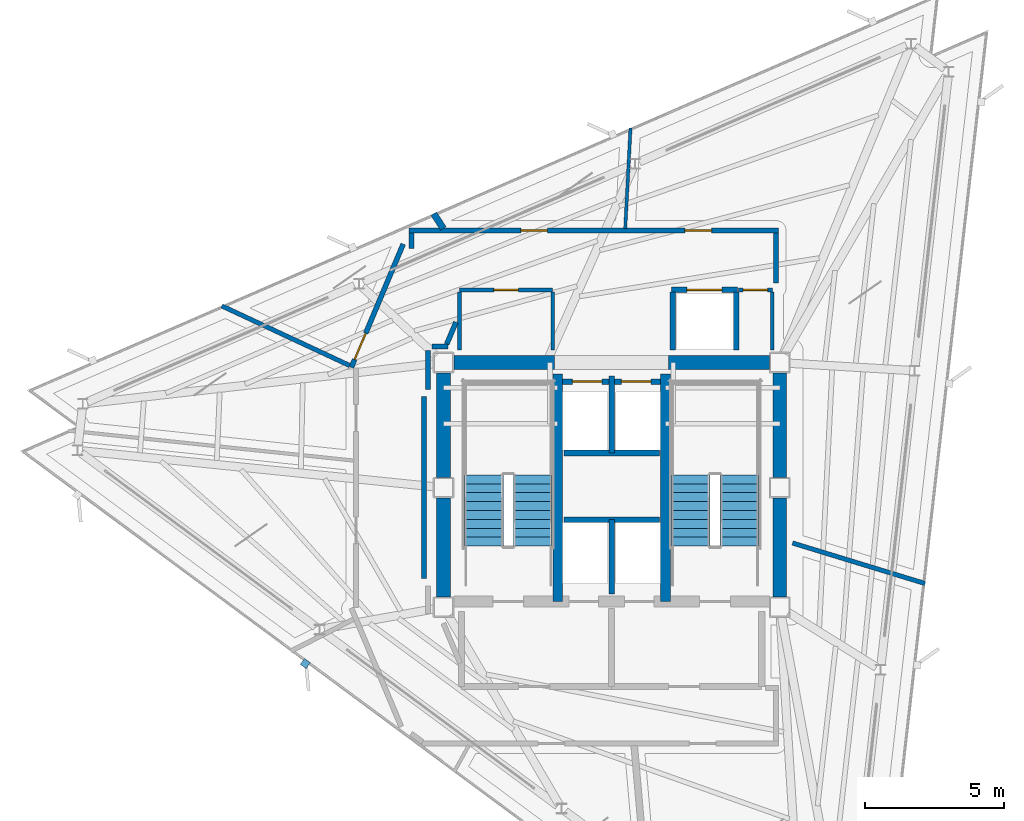
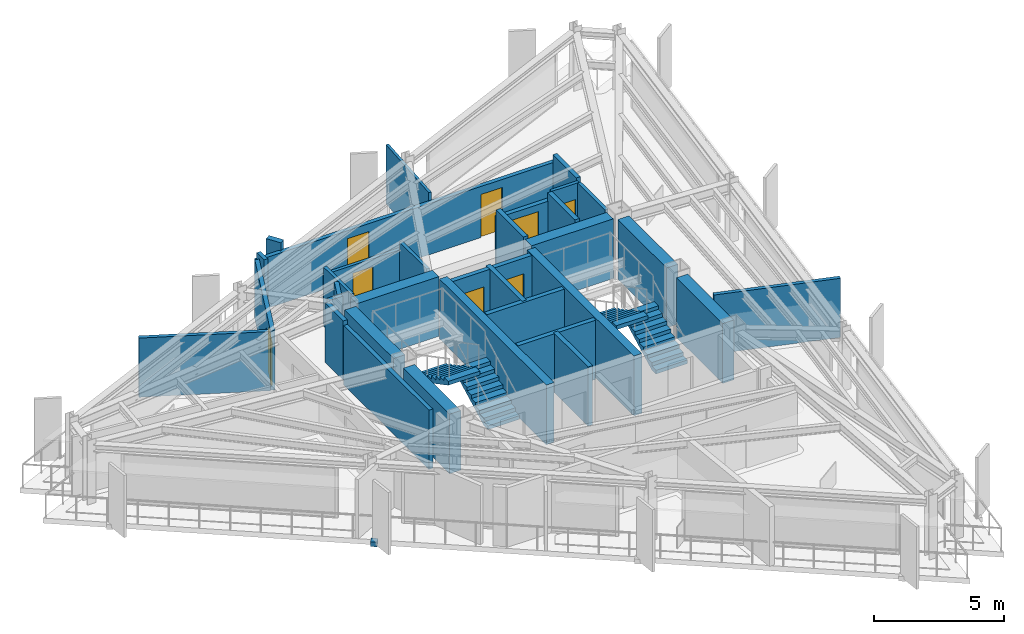
# One storey, part 6 of 10: 33 walls, 8 doors, 4 stair flights, 1 discrete accessory, 8 openings, 2 elements without a shape of their own.
"""IFC4 building model written with IfcOpenShell, lengths in metres."""

from ifc_helpers import new_model, si_unit, direction, frame, frame_2d, origin, origin_2d, place, context, subcontext, project, spatial, polyline, rectangle, outline, extrude, material, layer, layer_set, type_object, element, fill, aggregate, save


model = new_model("IFC4")

# Units and contexts
model_context = context("Model", 3, precision=1e-05, world=origin(), true_north=direction((0.0, 1.0)))
body_context = subcontext(model_context, "Body", "Model", "MODEL_VIEW")
ifc_project = project(units=[si_unit("LENGTHUNIT", "METRE"), si_unit("AREAUNIT", "SQUARE_METRE"), si_unit("VOLUMEUNIT", "CUBIC_METRE"), si_unit("PLANEANGLEUNIT", "RADIAN"), si_unit("MASSUNIT", "GRAM", prefix="KILO")], contexts=[model_context])

# Site, building, storey
site_placement = place(None, origin())
site = spatial("IfcSite", under=ifc_project, at=site_placement, CompositionType="ELEMENT")
building_placement = place(site_placement, origin())
building = spatial("IfcBuilding", under=site, at=building_placement, Name="Rocaltana Carrier Exchange", CompositionType="ELEMENT")
storey_placement = place(building_placement, frame((0.0, 0.0, 230.080078125)))
storey = spatial("IfcBuildingStorey", under=building, at=storey_placement, Name="L73", CompositionType="ELEMENT", Elevation=230.080078125)

# Walls
ifc_material_1 = material(Name="Double Acoustic Gypsum Partition", Category="gypsum")
ifc_layer_1 = layer(ifc_material_1, 0.159912109375)
ifc_layer_set_1 = layer_set([ifc_layer_1], Name="Double Acoustic Gypsum Partition")
wall_type_1 = type_object("IfcWallType", Name="Acoustic Studio Partition 160 EI60", PredefinedType="PARTITIONING", material=ifc_layer_set_1)
wall_1_placement = place(storey_placement, frame((6.510009765625, -1.990234375, 0.0), z_axis=(0.0, 0.0, 1.0), x_axis=(0.956296423481, -0.292398957653, 0.0)))
element("IfcWall", 1, at=wall_1_placement, inside=storey, type_object=wall_type_1, Name="L73 Suite Divider Wall D4", PredefinedType="PARTITIONING", context=body_context, shape_type="SweptSolid", body=[
    extrude(rectangle(XDim=4.984619140625, YDim=0.159912109375, at=frame_2d((2.4921875, 0.0))), origin(), (0.0, 0.0, 1.0), 2.77294921875),
])
wall_2_placement = place(storey_placement, frame((-9.4267578125, 4.395751953125, 0.0), z_axis=(0.0, 0.0, 1.0), x_axis=(-0.906319380456, 0.422593398682, 0.0)))
element("IfcWall", 2, at=wall_2_placement, inside=storey, type_object=wall_type_1, Name="L73 Suite Divider Wall D7", PredefinedType="PARTITIONING", context=body_context, shape_type="SweptSolid", body=[
    extrude(rectangle(XDim=5.079833984375, YDim=0.159912109375, at=frame_2d((2.5400390625, 0.0))), origin(), (0.0, 0.0, 1.0), 2.77294921875),
])
ifc_material_2 = material(Name="Concrete C50/60", Category="concrete")
ifc_layer_2 = layer(ifc_material_2, 0.35009765625)
ifc_layer_set_2 = layer_set([ifc_layer_2], Name="Concrete C50/60")
wall_type_2 = type_object("IfcWallType", Name="Core Internal Shear Wall 350", PredefinedType="SHEAR", material=ifc_layer_set_2)
for number, where, z_axis, x_axis, name in (
    (3, (-1.93994140625, -4.10009765625, 0.0), (0.0, 0.0, 1.0), (0.0, 1.0, 0.0), "L73 Core Shear Wall CW-STW"),
    (4, (1.93994140625, -4.10009765625, 0.0), (0.0, 0.0, 1.0), (0.0, 1.0, 0.0), "L73 Core Shear Wall CW-STE"),
):
    element("IfcWall", number, at=place(storey_placement, frame(where, z_axis=z_axis, x_axis=x_axis)), inside=storey, type_object=wall_type_2, Name=name, PredefinedType="SHEAR", context=body_context, shape_type="SweptSolid", body=[
        extrude(rectangle(XDim=8.2001953125, YDim=0.35009765625, at=frame_2d((4.10009765625, 0.0))), origin(), (0.0, 0.0, 1.0), 2.7978515625),
    ])
ifc_material_3 = material(Name="Concrete C50/60", Category="concrete")
ifc_layer_3 = layer(ifc_material_3, 0.5)
ifc_layer_set_3 = layer_set([ifc_layer_3], Name="Concrete C50/60")
wall_type_3 = type_object("IfcWallType", Name="Core Shear Wall 500", PredefinedType="SHEAR", material=ifc_layer_set_3)
wall_3_placement = place(storey_placement, frame((-6.050048828125, 0.375, 0.0), z_axis=(0.0, 0.0, 1.0), x_axis=(0.0, 1.0, 0.0)))
element("IfcWall", 5, at=wall_3_placement, inside=storey, type_object=wall_type_3, Name="L73 Core Shear Wall CW-WN", PredefinedType="SHEAR", context=body_context, shape_type="SweptSolid", body=[
    extrude(rectangle(XDim=3.75, YDim=0.5, at=frame_2d((1.875, 0.0))), origin(), (0.0, 0.0, 1.0), 2.7978515625),
])
wall_4_placement = place(storey_placement, frame((-6.050048828125, -3.925048828125, 0.0), z_axis=(0.0, 0.0, 1.0), x_axis=(0.0, 1.0, 0.0)))
element("IfcWall", 6, at=wall_4_placement, inside=storey, type_object=wall_type_3, Name="L73 Core Shear Wall CW-WS", PredefinedType="SHEAR", context=body_context, shape_type="SweptSolid", body=[
    extrude(rectangle(XDim=3.550048828125, YDim=0.5, at=frame_2d((1.77490234375, 0.0))), origin(), (0.0, 0.0, 1.0), 2.7978515625),
])
wall_5_placement = place(storey_placement, frame((6.050048828125, 0.375, 0.0), z_axis=(0.0, 0.0, 1.0), x_axis=(0.0, 1.0, 0.0)))
element("IfcWall", 7, at=wall_5_placement, inside=storey, type_object=wall_type_3, Name="L73 Core Shear Wall CW-EN", PredefinedType="SHEAR", context=body_context, shape_type="SweptSolid", body=[
    extrude(rectangle(XDim=3.75, YDim=0.5, at=frame_2d((1.875, 0.0))), origin(), (0.0, 0.0, 1.0), 2.7978515625),
])
wall_6_placement = place(storey_placement, frame((6.050048828125, -3.925048828125, 0.0), z_axis=(0.0, 0.0, 1.0), x_axis=(0.0, 1.0, 0.0)))
element("IfcWall", 8, at=wall_6_placement, inside=storey, type_object=wall_type_3, Name="L73 Core Shear Wall CW-ES", PredefinedType="SHEAR", context=body_context, shape_type="SweptSolid", body=[
    extrude(rectangle(XDim=3.550048828125, YDim=0.5, at=frame_2d((1.77490234375, 0.0))), origin(), (0.0, 0.0, 1.0), 2.7978515625),
])
for number, where, z_axis, x_axis, name in (
    (9, (-5.675048828125, 4.5, 0.0), (0.0, 0.0, 1.0), (1.0, 0.0, 0.0), "L73 Core Shear Wall CW-N1"),
    (10, (2.050048828125, 4.5, 0.0), (0.0, 0.0, 1.0), (1.0, 0.0, 0.0), "L73 Core Shear Wall CW-N2"),
):
    element("IfcWall", number, at=place(storey_placement, frame(where, z_axis=z_axis, x_axis=x_axis)), inside=storey, type_object=wall_type_3, Name=name, PredefinedType="SHEAR", context=body_context, shape_type="SweptSolid", body=[
        extrude(rectangle(XDim=3.625, YDim=0.5, at=frame_2d((1.8125, 0.0))), origin(), (0.0, 0.0, 1.0), 2.7978515625),
    ])

# Wall, opening, door
ifc_material_4 = material(Name="Gypsum & Steel Stud Partition", Category="steel")
ifc_layer_4 = layer(ifc_material_4, 0.179931640625)
ifc_layer_set_4 = layer_set([ifc_layer_4], Name="Gypsum & Steel Stud Partition")
wall_type_4 = type_object("IfcWallType", Name="Corridor Fire Partition 180 EI60", PredefinedType="PARTITIONING", material=ifc_layer_set_4)
wall_7_placement = place(storey_placement, frame((-9.36669921875, 4.331787109375, 0.0), z_axis=(0.0, 0.0, 1.0), x_axis=(0.387573945081, 0.921838617706, 0.0)))
wall_7 = element("IfcWall", 11, at=wall_7_placement, inside=storey, type_object=wall_type_4, Name="L73 Corridor Partition 3", PredefinedType="PARTITIONING", context=body_context, shape_type="SweptSolid", body=[
    extrude(rectangle(XDim=4.813232421875, YDim=0.179931640625, at=frame_2d((2.40673828125, 0.0))), origin(), (0.0, 0.0, 1.0), 2.77294921875),
])
opening_1_placement = place(wall_7_placement, frame((0.307373046875, 0.0, 0.0)))
opening_1 = element("IfcOpeningElement", 12, at=opening_1_placement, cuts=wall_7, Name="Opening D-LB104", PredefinedType="OPENING", context=body_context, shape_type="SweptSolid", body=[
    extrude(rectangle(XDim=1.02001953125, YDim=2.02001953125, at=frame_2d((0.510009765625, 1.010009765625))), frame((0.0, 0.099853515625, 0.0), z_axis=(0.0, -1.0, 0.0), x_axis=(1.0, 0.0, 0.0)), (0.0, 0.0, 1.0), 0.199951171875),
])
ifc_material_5 = material(Name="Powder-Coated Aluminium 6063-T6", Category="aluminium")
door_type_1 = type_object("IfcDoorType", Name="Laboratory Acoustic Door 1020x2020", OperationType="NOTDEFINED", PredefinedType="DOOR", material=ifc_material_5)
door_1_placement = place(opening_1_placement, origin())
door_1 = element("IfcDoor", 13, at=door_1_placement, inside=storey, type_object=door_type_1, Name="L73 Optical Switching Laboratory Entrance Door", OperationType="SINGLE_SWING_LEFT", OverallHeight=2.02001953125, OverallWidth=1.02001953125, PredefinedType="DOOR", context=body_context, shape_type="SweptSolid", body=[
    extrude(rectangle(XDim=1.02001953125, YDim=2.02001953125, at=frame_2d((0.510009765625, 1.010009765625))), frame((0.0, 0.02490234375, 0.0), z_axis=(0.0, -1.0, 0.0), x_axis=(1.0, 0.0, 0.0)), (0.0, 0.0, 1.0), 0.050048828125),
])
fill(opening_1, door_1)

# Wall
wall_8_placement = place(storey_placement, frame((-7.199951171875, 8.6005859375, 0.0), z_axis=(0.0, 0.0, 1.0), x_axis=(0.0, 1.0, 0.0)))
element("IfcWall", 14, at=wall_8_placement, inside=storey, type_object=wall_type_4, Name="L73 Corridor Partition 4", PredefinedType="PARTITIONING", context=body_context, shape_type="SweptSolid", body=[
    extrude(rectangle(XDim=0.559326171875, YDim=0.179931640625, at=frame_2d((0.27978515625, 0.0))), origin(), (0.0, 0.0, 1.0), 2.77294921875),
])

# Wall, openings, doors
wall_9_placement = place(storey_placement, frame((-7.2900390625, 9.25, 0.0), z_axis=(0.0, 0.0, 1.0), x_axis=(1.0, 0.0, 0.0)))
wall_9 = element("IfcWall", 15, at=wall_9_placement, inside=storey, type_object=wall_type_4, Name="L73 Corridor Partition 5", PredefinedType="PARTITIONING", context=body_context, shape_type="SweptSolid", body=[
    extrude(rectangle(XDim=13.300048828125, YDim=0.179931640625, at=frame_2d((6.64990234375, 0.0))), origin(), (0.0, 0.0, 1.0), 2.39501953125),
])
opening_2_placement = place(wall_9_placement, frame((9.92919921875, 0.0, 0.0)))
opening_2 = element("IfcOpeningElement", 16, at=opening_2_placement, cuts=wall_9, Name="Opening D-RM098", PredefinedType="OPENING", context=body_context, shape_type="SweptSolid", body=[
    extrude(rectangle(XDim=0.9599609375, YDim=2.02001953125, at=frame_2d((0.47998046875, 1.010009765625))), frame((0.0, 0.099853515625, 0.0), z_axis=(0.0, -1.0, 0.0), x_axis=(1.0, 0.0, 0.0)), (0.0, 0.0, 1.0), 0.199951171875),
])
opening_3_placement = place(wall_9_placement, frame((4.02001953125, 0.0, 0.0)))
opening_3 = element("IfcOpeningElement", 17, at=opening_3_placement, cuts=wall_9, Name="Opening D-RM098", PredefinedType="OPENING", context=body_context, shape_type="SweptSolid", body=[
    extrude(rectangle(XDim=0.9599609375, YDim=2.02001953125, at=frame_2d((0.47998046875, 1.010009765625))), frame((0.0, 0.099853515625, 0.0), z_axis=(0.0, -1.0, 0.0), x_axis=(1.0, 0.0, 0.0)), (0.0, 0.0, 1.0), 0.199951171875),
])
ifc_material_6 = material(Name="Engineered Hardwood Timber", Category="wood")
door_type_2 = type_object("IfcDoorType", Name="Workspace Single Door 960x2020", OperationType="NOTDEFINED", PredefinedType="DOOR", material=ifc_material_6)
door_2_placement = place(opening_2_placement, origin())
door_2 = element("IfcDoor", 18, at=door_2_placement, inside=storey, type_object=door_type_2, Name="L73 Cloud Architecture Office Entrance Door", OperationType="SINGLE_SWING_LEFT", OverallHeight=2.02001953125, OverallWidth=0.9599609375, PredefinedType="DOOR", context=body_context, shape_type="SweptSolid", body=[
    extrude(rectangle(XDim=0.9599609375, YDim=2.02001953125, at=frame_2d((0.47998046875, 1.010009765625))), frame((0.0, 0.02490234375, 0.0), z_axis=(0.0, -1.0, 0.0), x_axis=(1.0, 0.0, 0.0)), (0.0, 0.0, 1.0), 0.050048828125),
])
fill(opening_2, door_2)
door_3_placement = place(opening_3_placement, origin())
door_3 = element("IfcDoor", 19, at=door_3_placement, inside=storey, type_object=door_type_2, Name="L73 Peering Conference Room Entrance Door", OperationType="SINGLE_SWING_RIGHT", OverallHeight=2.02001953125, OverallWidth=0.9599609375, PredefinedType="DOOR", context=body_context, shape_type="SweptSolid", body=[
    extrude(rectangle(XDim=0.9599609375, YDim=2.02001953125, at=frame_2d((0.47998046875, 1.010009765625))), frame((0.0, 0.02490234375, 0.0), z_axis=(0.0, -1.0, 0.0), x_axis=(1.0, 0.0, 0.0)), (0.0, 0.0, 1.0), 0.050048828125),
])
fill(opening_3, door_3)

# Walls
wall_10_placement = place(storey_placement, frame((5.919921875, 9.159912109375, 0.0), z_axis=(0.0, 0.0, 1.0), x_axis=(0.0, -1.0, 0.0)))
element("IfcWall", 20, at=wall_10_placement, inside=storey, type_object=wall_type_4, Name="L73 Corridor Partition 6", PredefinedType="PARTITIONING", context=body_context, shape_type="SweptSolid", body=[
    extrude(rectangle(XDim=1.7998046875, YDim=0.179931640625, at=frame_2d((0.89990234375, 0.0))), origin(), (0.0, 0.0, 1.0), 2.77294921875),
])
wall_11_placement = place(storey_placement, frame((-5.602294921875, 5.9580078125, 0.0), z_axis=(0.0, 0.0, 1.0), x_axis=(-0.387588639363, -0.921832439566, 0.0)))
element("IfcWall", 21, at=wall_11_placement, inside=storey, type_object=wall_type_4, Name="L73 Corridor Partition 8", PredefinedType="PARTITIONING", context=body_context, shape_type="SweptSolid", body=[
    extrude(rectangle(XDim=0.8623046875, YDim=0.179931640625, at=frame_2d((0.43115234375, 0.0))), origin(), (0.0, 0.0, 1.0), 2.77294921875),
])
wall_12_placement = place(storey_placement, frame((-5.88134765625, 5.080078125, 0.0), z_axis=(0.0, 0.0, 1.0), x_axis=(-1.0, 0.0, 0.0)))
element("IfcWall", 22, at=wall_12_placement, inside=storey, type_object=wall_type_4, Name="L73 Corridor Partition 9", PredefinedType="PARTITIONING", context=body_context, shape_type="SweptSolid", body=[
    extrude(rectangle(XDim=0.588623046875, YDim=0.179931640625, at=frame_2d((0.29443359375, 0.0))), origin(), (0.0, 0.0, 1.0), 2.77294921875),
])
wall_13_placement = place(storey_placement, frame((-6.610107421875, 4.93994140625, 0.0), z_axis=(0.0, 0.0, 1.0), x_axis=(0.0, -1.0, 0.0)))
element("IfcWall", 23, at=wall_13_placement, inside=storey, type_object=wall_type_4, Name="L73 Corridor Partition 10", PredefinedType="PARTITIONING", context=body_context, shape_type="SweptSolid", body=[
    extrude(rectangle(XDim=1.398681640625, YDim=0.179931640625, at=frame_2d((0.69921875, 0.0))), origin(), (0.0, 0.0, 1.0), 2.77294921875),
])
wall_14_placement = place(storey_placement, frame((-6.75, 3.2734375, 0.0), z_axis=(0.0, 0.0, 1.0), x_axis=(0.0, -1.0, 0.0)))
element("IfcWall", 24, at=wall_14_placement, inside=storey, type_object=wall_type_4, Name="L73 Corridor Partition 11", PredefinedType="PARTITIONING", context=body_context, shape_type="SweptSolid", body=[
    extrude(rectangle(XDim=6.546875, YDim=0.179931640625, at=frame_2d((3.2734375, 0.0))), origin(), (0.0, 0.0, 1.0), 2.77294921875),
])
ifc_material_7 = material(Name="Aluminium 6063-T6 & Acoustic Glass", Category="aluminium")
ifc_layer_5 = layer(ifc_material_7, 0.114990234375)
ifc_layer_set_5 = layer_set([ifc_layer_5], Name="Aluminium 6063-T6 & Acoustic Glass")
wall_type_5 = type_object("IfcWallType", Name="Demountable Glazed Lab Partition 115", PredefinedType="MOVABLE", material=ifc_layer_set_5)
wall_15_placement = place(storey_placement, frame((0.489013671875, 9.330078125, 0.0), z_axis=(0.0, 0.0, 1.0), x_axis=(0.05229993373, 0.998631421963, 0.0)))
element("IfcWall", 25, at=wall_15_placement, inside=storey, type_object=wall_type_5, Name="L73 Suite Divider Wall D5", PredefinedType="MOVABLE", context=body_context, shape_type="SweptSolid", body=[
    extrude(rectangle(XDim=3.613037109375, YDim=0.114990234375, at=frame_2d((1.806640625, 0.0))), origin(), (0.0, 0.0, 1.0), 2.77294921875),
])
ifc_material_8 = material(Name="Acoustic Calcium Silicate Partition", Category="gypsum")
ifc_layer_6 = layer(ifc_material_8, 0.239990234375)
ifc_layer_set_6 = layer_set([ifc_layer_6], Name="Acoustic Calcium Silicate Partition")
wall_type_6 = type_object("IfcWallType", Name="Heavy Lab Partition 240 EI90", PredefinedType="PARTITIONING", material=ifc_layer_set_6)
wall_16_placement = place(storey_placement, frame((-6.05908203125, 9.330078125, 0.0), z_axis=(0.0, 0.0, 1.0), x_axis=(-0.54466198204, 0.838655665527, 0.0)))
element("IfcWall", 26, at=wall_16_placement, inside=storey, type_object=wall_type_6, Name="L73 Suite Divider Wall D6", PredefinedType="PARTITIONING", context=body_context, shape_type="SweptSolid", body=[
    extrude(rectangle(XDim=0.631103515625, YDim=0.239990234375, at=frame_2d((0.3154296875, 0.0))), origin(), (0.0, 0.0, 1.0), 2.77294921875),
])
ifc_material_9 = material(Name="Reinforced Concrete Block C35/45", Category="concrete")
ifc_layer_7 = layer(ifc_material_9, 0.199951171875)
ifc_layer_set_7 = layer_set([ifc_layer_7], Name="Reinforced Concrete Block C35/45")
wall_type_7 = type_object("IfcWallType", Name="Lift Hoistway Enclosure Wall 200 EI120", PredefinedType="PARTITIONING", material=ifc_layer_set_7)
wall_17_placement = place(storey_placement, frame((0.0, -3.820068359375, 0.0), z_axis=(0.0, 0.0, 1.0), x_axis=(0.0, 1.0, 0.0)))
element("IfcWall", 27, at=wall_17_placement, inside=storey, type_object=wall_type_7, Name="L73 FFL Shaft Divider", PredefinedType="PARTITIONING", context=body_context, shape_type="SweptSolid", body=[
    extrude(rectangle(XDim=2.670166015625, YDim=0.199951171875, at=frame_2d((1.3349609375, 0.0))), origin(), (0.0, 0.0, 1.0), 2.77294921875),
])
wall_18_placement = place(storey_placement, frame((-1.719970703125, -1.14990234375, 0.0), z_axis=(0.0, 0.0, 1.0), x_axis=(1.0, 0.0, 0.0)))
element("IfcWall", 28, at=wall_18_placement, inside=storey, type_object=wall_type_7, Name="L73 FFL Shaft Back Wall", PredefinedType="PARTITIONING", context=body_context, shape_type="SweptSolid", body=[
    extrude(rectangle(XDim=3.43994140625, YDim=0.199951171875, at=frame_2d((1.719970703125, 0.0))), origin(), (0.0, 0.0, 1.0), 2.77294921875),
])
wall_19_placement = place(storey_placement, frame((0.0, 1.25, 0.0), z_axis=(0.0, 0.0, 1.0), x_axis=(0.0, 1.0, 0.0)))
element("IfcWall", 29, at=wall_19_placement, inside=storey, type_object=wall_type_7, Name="L73 High-Rise Shaft Divider", PredefinedType="PARTITIONING", context=body_context, shape_type="SweptSolid", body=[
    extrude(rectangle(XDim=2.77001953125, YDim=0.199951171875, at=frame_2d((1.385009765625, 0.0))), origin(), (0.0, 0.0, 1.0), 2.77294921875),
])
wall_20_placement = place(storey_placement, frame((-1.719970703125, 1.25, 0.0), z_axis=(0.0, 0.0, 1.0), x_axis=(1.0, 0.0, 0.0)))
element("IfcWall", 30, at=wall_20_placement, inside=storey, type_object=wall_type_7, Name="L73 High-Rise Shaft Back Wall", PredefinedType="PARTITIONING", context=body_context, shape_type="SweptSolid", body=[
    extrude(rectangle(XDim=3.43994140625, YDim=0.199951171875, at=frame_2d((1.719970703125, 0.0))), origin(), (0.0, 0.0, 1.0), 2.77294921875),
])

# Wall, openings, doors
wall_21_placement = place(storey_placement, frame((-1.760009765625, 3.820068359375, 0.0), z_axis=(0.0, 0.0, 1.0), x_axis=(1.0, 0.0, 0.0)))
wall_21 = element("IfcWall", 31, at=wall_21_placement, inside=storey, type_object=wall_type_7, Name="L73 High-Rise Lift Front Wall", PredefinedType="PARTITIONING", context=body_context, shape_type="SweptSolid", body=[
    extrude(rectangle(XDim=3.52001953125, YDim=0.199951171875, at=frame_2d((1.760009765625, 0.0))), origin(), (0.0, 0.0, 1.0), 2.77294921875),
])
opening_4_placement = place(wall_21_placement, frame((0.35009765625, 0.0, 0.0)))
opening_4 = element("IfcOpeningElement", 32, at=opening_4_placement, cuts=wall_21, Name="Opening LD-110", PredefinedType="OPENING", context=body_context, shape_type="SweptSolid", body=[
    extrude(rectangle(XDim=1.06005859375, YDim=2.0400390625, at=frame_2d((0.530029296875, 1.02001953125))), frame((0.0, 0.10986328125, 0.0), z_axis=(0.0, -1.0, 0.0), x_axis=(1.0, 0.0, 0.0)), (0.0, 0.0, 1.0), 0.219970703125),
])
opening_5_placement = place(wall_21_placement, frame((2.110107421875, 0.0, 0.0)))
opening_5 = element("IfcOpeningElement", 33, at=opening_5_placement, cuts=wall_21, Name="Opening LD-110", PredefinedType="OPENING", context=body_context, shape_type="SweptSolid", body=[
    extrude(rectangle(XDim=1.06005859375, YDim=2.0400390625, at=frame_2d((0.530029296875, 1.02001953125))), frame((0.0, 0.10986328125, 0.0), z_axis=(0.0, -1.0, 0.0), x_axis=(1.0, 0.0, 0.0)), (0.0, 0.0, 1.0), 0.219970703125),
])
ifc_material_10 = material(Name="Brushed Stainless Sliding Door Leaf", Category="steel")
door_type_3 = type_object("IfcDoorType", Name="Lift Landing Sliding Door 1060x2040", OperationType="NOTDEFINED", PredefinedType="DOOR", material=ifc_material_10)
door_4_placement = place(opening_4_placement, origin())
door_4 = element("IfcDoor", 34, at=door_4_placement, inside=storey, type_object=door_type_3, Name="L73 High-Rise Lift PLH1 Landing Door", OperationType="SLIDING_TO_LEFT", OverallHeight=2.0400390625, OverallWidth=1.06005859375, PredefinedType="DOOR", context=body_context, shape_type="SweptSolid", body=[
    extrude(rectangle(XDim=1.06005859375, YDim=2.0400390625, at=frame_2d((0.530029296875, 1.02001953125))), frame((0.0, 0.02490234375, 0.0), z_axis=(0.0, -1.0, 0.0), x_axis=(1.0, 0.0, 0.0)), (0.0, 0.0, 1.0), 0.050048828125),
])
fill(opening_4, door_4)
door_5_placement = place(opening_5_placement, origin())
door_5 = element("IfcDoor", 35, at=door_5_placement, inside=storey, type_object=door_type_3, Name="L73 High-Rise Lift PLH2 Landing Door", OperationType="SLIDING_TO_RIGHT", OverallHeight=2.0400390625, OverallWidth=1.06005859375, PredefinedType="DOOR", context=body_context, shape_type="SweptSolid", body=[
    extrude(rectangle(XDim=1.06005859375, YDim=2.0400390625, at=frame_2d((0.530029296875, 1.02001953125))), frame((0.0, 0.02490234375, 0.0), z_axis=(0.0, -1.0, 0.0), x_axis=(1.0, 0.0, 0.0)), (0.0, 0.0, 1.0), 0.050048828125),
])
fill(opening_5, door_5)

# Walls
for number, where, z_axis, x_axis, name in (
    (36, (2.199951171875, 4.949951171875, 0.0), (0.0, 0.0, 1.0), (0.0, 1.0, 0.0), "L73 Goods Lift West Wall"),
    (37, (4.47998046875, 4.949951171875, 0.0), (0.0, 0.0, 1.0), (0.0, 1.0, 0.0), "L73 Goods Lift East Wall"),
):
    element("IfcWall", number, at=place(storey_placement, frame(where, z_axis=z_axis, x_axis=x_axis)), inside=storey, type_object=wall_type_7, Name=name, PredefinedType="PARTITIONING", context=body_context, shape_type="SweptSolid", body=[
        extrude(rectangle(XDim=2.10009765625, YDim=0.199951171875, at=frame_2d((1.050048828125, 0.0))), origin(), (0.0, 0.0, 1.0), 2.77294921875),
    ])

# Wall, opening, door
wall_22_placement = place(storey_placement, frame((2.14990234375, 7.1201171875, 0.0), z_axis=(0.0, 0.0, 1.0), x_axis=(1.0, 0.0, 0.0)))
wall_22 = element("IfcWall", 38, at=wall_22_placement, inside=storey, type_object=wall_type_7, Name="L73 Goods Lift Front Wall", PredefinedType="PARTITIONING", context=body_context, shape_type="SweptSolid", body=[
    extrude(rectangle(XDim=2.380126953125, YDim=0.199951171875, at=frame_2d((1.18994140625, 0.0))), origin(), (0.0, 0.0, 1.0), 2.39501953125),
])
opening_6_placement = place(wall_22_placement, frame((0.56005859375, 0.0, 0.0)))
opening_6 = element("IfcOpeningElement", 39, at=opening_6_placement, cuts=wall_22, Name="Opening LD-130", PredefinedType="OPENING", context=body_context, shape_type="SweptSolid", body=[
    extrude(rectangle(XDim=1.260009765625, YDim=2.06005859375, at=frame_2d((0.6298828125, 1.030029296875))), frame((0.0, 0.10986328125, 0.0), z_axis=(0.0, -1.0, 0.0), x_axis=(1.0, 0.0, 0.0)), (0.0, 0.0, 1.0), 0.219970703125),
])
ifc_material_11 = material(Name="Brushed Stainless Sliding Door Leaf", Category="steel")
door_type_4 = type_object("IfcDoorType", Name="Goods Lift Landing Sliding Door 1260x2060", OperationType="NOTDEFINED", PredefinedType="DOOR", material=ifc_material_11)
door_6_placement = place(opening_6_placement, origin())
door_6 = element("IfcDoor", 40, at=door_6_placement, inside=storey, type_object=door_type_4, Name="L73 Goods Lift GL-1 Landing Door", OperationType="SLIDING_TO_LEFT", OverallHeight=2.06005859375, OverallWidth=1.260009765625, PredefinedType="DOOR", context=body_context, shape_type="SweptSolid", body=[
    extrude(rectangle(XDim=1.260009765625, YDim=2.06005859375, at=frame_2d((0.6298828125, 1.030029296875))), frame((0.0, 0.02490234375, 0.0), z_axis=(0.0, -1.0, 0.0), x_axis=(1.0, 0.0, 0.0)), (0.0, 0.0, 1.0), 0.050048828125),
])
fill(opening_6, door_6)

# Walls
ifc_material_12 = material(Name="Moisture-Resistant Masonry C30/37", Category="masonry")
ifc_layer_8 = layer(ifc_material_12, 0.139892578125)
ifc_layer_set_8 = layer_set([ifc_layer_8], Name="Moisture-Resistant Masonry C30/37")
wall_type_8 = type_object("IfcWallType", Name="Wet-Area Sanitary Partition 140", PredefinedType="PARTITIONING", material=ifc_layer_set_8)
for number, where, z_axis, x_axis, name in (
    (41, (-5.47998046875, 4.949951171875, 0.0), (0.0, 0.0, 1.0), (0.0, 1.0, 0.0), "L73 Sanitary West Wall"),
    (42, (-2.1201171875, 4.949951171875, 0.0), (0.0, 0.0, 1.0), (0.0, 1.0, 0.0), "L73 Sanitary East Wall"),
):
    element("IfcWall", number, at=place(storey_placement, frame(where, z_axis=z_axis, x_axis=x_axis)), inside=storey, type_object=wall_type_8, Name=name, PredefinedType="PARTITIONING", context=body_context, shape_type="SweptSolid", body=[
        extrude(rectangle(XDim=2.10009765625, YDim=0.139892578125, at=frame_2d((1.050048828125, 0.0))), origin(), (0.0, 0.0, 1.0), 2.77294921875),
    ])

# Wall, opening, door
wall_23_placement = place(storey_placement, frame((-5.47998046875, 7.1201171875, 0.0), z_axis=(0.0, 0.0, 1.0), x_axis=(1.0, 0.0, 0.0)))
wall_23 = element("IfcWall", 43, at=wall_23_placement, inside=storey, type_object=wall_type_8, Name="L73 Sanitary North Wall", PredefinedType="PARTITIONING", context=body_context, shape_type="SweptSolid", body=[
    extrude(rectangle(XDim=3.35986328125, YDim=0.139892578125, at=frame_2d((1.679931640625, 0.0))), origin(), (0.0, 0.0, 1.0), 2.39501953125),
])
opening_7_placement = place(wall_23_placement, frame((1.239990234375, 0.0, 0.0)))
opening_7 = element("IfcOpeningElement", 44, at=opening_7_placement, cuts=wall_23, Name="Opening D-WC090", PredefinedType="OPENING", context=body_context, shape_type="SweptSolid", body=[
    extrude(rectangle(XDim=0.8798828125, YDim=2.02001953125, at=frame_2d((0.43994140625, 1.010009765625))), frame((0.0, 0.079833984375, 0.0), z_axis=(0.0, -1.0, 0.0), x_axis=(1.0, 0.0, 0.0)), (0.0, 0.0, 1.0), 0.159912109375),
])
ifc_material_13 = material(Name="High-Pressure Laminate Timber", Category="wood")
door_type_5 = type_object("IfcDoorType", Name="Restroom & Accessible WC Door 880x2020", OperationType="NOTDEFINED", PredefinedType="DOOR", material=ifc_material_13)
door_7_placement = place(opening_7_placement, origin())
door_7 = element("IfcDoor", 45, at=door_7_placement, inside=storey, type_object=door_type_5, Name="L73 Accessible Toilet Door", OperationType="SINGLE_SWING_RIGHT", OverallHeight=2.02001953125, OverallWidth=0.8798828125, PredefinedType="DOOR", context=body_context, shape_type="SweptSolid", body=[
    extrude(rectangle(XDim=0.8798828125, YDim=2.02001953125, at=frame_2d((0.43994140625, 1.010009765625))), frame((0.0, 0.02490234375, 0.0), z_axis=(0.0, -1.0, 0.0), x_axis=(1.0, 0.0, 0.0)), (0.0, 0.0, 1.0), 0.050048828125),
])
fill(opening_7, door_7)

# Wall
wall_24_placement = place(storey_placement, frame((5.780029296875, 4.949951171875, 0.0), z_axis=(0.0, 0.0, 1.0), x_axis=(0.0, 1.0, 0.0)))
element("IfcWall", 46, at=wall_24_placement, inside=storey, type_object=wall_type_8, Name="L73 Restroom East Wall", PredefinedType="PARTITIONING", context=body_context, shape_type="SweptSolid", body=[
    extrude(rectangle(XDim=2.10009765625, YDim=0.139892578125, at=frame_2d((1.050048828125, 0.0))), origin(), (0.0, 0.0, 1.0), 2.77294921875),
])

# Wall, opening, door
wall_25_placement = place(storey_placement, frame((4.56005859375, 7.1201171875, 0.0), z_axis=(0.0, 0.0, 1.0), x_axis=(1.0, 0.0, 0.0)))
wall_25 = element("IfcWall", 47, at=wall_25_placement, inside=storey, type_object=wall_type_8, Name="L73 Restroom North Wall", PredefinedType="PARTITIONING", context=body_context, shape_type="SweptSolid", body=[
    extrude(rectangle(XDim=1.219970703125, YDim=0.139892578125, at=frame_2d((0.60986328125, 0.0))), origin(), (0.0, 0.0, 1.0), 2.77294921875),
])
opening_8_placement = place(wall_25_placement, frame((0.169921875, 0.0, 0.0)))
opening_8 = element("IfcOpeningElement", 48, at=opening_8_placement, cuts=wall_25, Name="Opening D-WC090", PredefinedType="OPENING", context=body_context, shape_type="SweptSolid", body=[
    extrude(rectangle(XDim=0.8798828125, YDim=2.02001953125, at=frame_2d((0.43994140625, 1.010009765625))), frame((0.0, 0.079833984375, 0.0), z_axis=(0.0, -1.0, 0.0), x_axis=(1.0, 0.0, 0.0)), (0.0, 0.0, 1.0), 0.159912109375),
])
door_8_placement = place(opening_8_placement, origin())
door_8 = element("IfcDoor", 49, at=door_8_placement, inside=storey, type_object=door_type_5, Name="L73 Staff Restroom Door", OperationType="SINGLE_SWING_LEFT", OverallHeight=2.02001953125, OverallWidth=0.8798828125, PredefinedType="DOOR", context=body_context, shape_type="SweptSolid", body=[
    extrude(rectangle(XDim=0.8798828125, YDim=2.02001953125, at=frame_2d((0.43994140625, 1.010009765625))), frame((0.0, 0.02490234375, 0.0), z_axis=(0.0, -1.0, 0.0), x_axis=(1.0, 0.0, 0.0)), (0.0, 0.0, 1.0), 0.050048828125),
])
fill(opening_8, door_8)

# Stair, stair flights
ifc_material_14 = material(Name="Precast concrete C45/55", Category="concrete")
stair_type = type_object("IfcStairType", Name="Standard Dog-Leg Stair 160", PredefinedType="HALF_TURN_STAIR", material=ifc_material_14)
stair_1_placement = place(storey_placement, origin())
stair_1 = element("IfcStair", 50, at=stair_1_placement, inside=storey, type_object=stair_type, Name="L73 Core West Exit Stair ST-1", PredefinedType="HALF_TURN_STAIR")
ifc_material_15 = material(Name="Precast concrete C45/55", Category="concrete")
stair_flight_type = type_object("IfcStairFlightType", Name="Precast Stair Flight 160", PredefinedType="STRAIGHT", material=ifc_material_15)
stair_flight_1_placement = place(storey_placement, frame((-2.840087890625, -2.10009765625, 0.0), z_axis=(0.0, 0.0, 1.0), x_axis=(0.0, 1.0, 0.0)))
stair_flight_1 = element("IfcStairFlight", 51, at=stair_flight_1_placement, type_object=stair_flight_type, Name="ST-1 flight 1", NumberOfRisers=9, NumberOfTreads=8, PredefinedType="STRAIGHT", RiserHeight=0.168888889, TreadLength=0.32, context=body_context, shape_type="SweptSolid", body=[
    extrude(outline(polyline([(0.0, 0.0), (0.0, 0.1689453125), (0.320068359375, 0.1689453125), (0.320068359375, 0.337890625), (0.639892578125, 0.337890625), (0.639892578125, 0.506591796875), (0.9599609375, 0.506591796875), (0.9599609375, 0.675537109375), (1.280029296875, 0.675537109375), (1.280029296875, 0.844482421875), (1.60009765625, 0.844482421875), (1.60009765625, 1.013427734375), (1.919921875, 1.013427734375), (1.919921875, 1.18212890625), (2.239990234375, 1.18212890625), (2.239990234375, 1.35107421875), (2.56005859375, 1.35107421875), (2.56005859375, 1.52001953125), (2.56005859375, 1.17041015625), (0.342529296875, 0.0), (0.0, 0.0)])), frame((0.0, 0.699951171875, 0.0), z_axis=(0.0, -1.0, 0.0), x_axis=(1.0, 0.0, 0.0)), (0.0, 0.0, 1.0), 1.39990234375),
])
stair_flight_2_placement = place(storey_placement, frame((-4.60009765625, 0.4599609375, 1.52001953125), z_axis=(0.0, 0.0, 1.0), x_axis=(0.0, -1.0, 0.0)))
stair_flight_2 = element("IfcStairFlight", 52, at=stair_flight_2_placement, type_object=stair_flight_type, Name="ST-1 flight 2", NumberOfRisers=9, NumberOfTreads=8, PredefinedType="STRAIGHT", RiserHeight=0.168888889, TreadLength=0.32, context=body_context, shape_type="SweptSolid", body=[
    extrude(outline(polyline([(0.0, 0.0), (0.0, 0.1689453125), (0.320068359375, 0.1689453125), (0.320068359375, 0.337890625), (0.639892578125, 0.337890625), (0.639892578125, 0.506591796875), (0.9599609375, 0.506591796875), (0.9599609375, 0.675537109375), (1.280029296875, 0.675537109375), (1.280029296875, 0.844482421875), (1.60009765625, 0.844482421875), (1.60009765625, 1.013427734375), (1.919921875, 1.013427734375), (1.919921875, 1.18212890625), (2.239990234375, 1.18212890625), (2.239990234375, 1.35107421875), (2.56005859375, 1.35107421875), (2.56005859375, 1.52001953125), (2.56005859375, 1.17041015625), (0.342529296875, 0.0), (0.0, 0.0)])), frame((0.0, 0.699951171875, 0.0), z_axis=(0.0, -1.0, 0.0), x_axis=(1.0, 0.0, 0.0)), (0.0, 0.0, 1.0), 1.39990234375),
])
aggregate(stair_1, [stair_flight_1, stair_flight_2])

stair_2_placement = place(storey_placement, origin())
stair_2 = element("IfcStair", 53, at=stair_2_placement, inside=storey, type_object=stair_type, Name="L73 Core East Exit Stair ST-2", PredefinedType="HALF_TURN_STAIR")
stair_flight_3_placement = place(storey_placement, frame((4.60009765625, -2.10009765625, 0.0), z_axis=(0.0, 0.0, 1.0), x_axis=(0.0, 1.0, 0.0)))
stair_flight_3 = element("IfcStairFlight", 54, at=stair_flight_3_placement, type_object=stair_flight_type, Name="ST-2 flight 1", NumberOfRisers=9, NumberOfTreads=8, PredefinedType="STRAIGHT", RiserHeight=0.168888889, TreadLength=0.32, context=body_context, shape_type="SweptSolid", body=[
    extrude(outline(polyline([(0.0, 0.0), (0.0, 0.1689453125), (0.320068359375, 0.1689453125), (0.320068359375, 0.337890625), (0.639892578125, 0.337890625), (0.639892578125, 0.506591796875), (0.9599609375, 0.506591796875), (0.9599609375, 0.675537109375), (1.280029296875, 0.675537109375), (1.280029296875, 0.844482421875), (1.60009765625, 0.844482421875), (1.60009765625, 1.013427734375), (1.919921875, 1.013427734375), (1.919921875, 1.18212890625), (2.239990234375, 1.18212890625), (2.239990234375, 1.35107421875), (2.56005859375, 1.35107421875), (2.56005859375, 1.52001953125), (2.56005859375, 1.17041015625), (0.342529296875, 0.0), (0.0, 0.0)])), frame((0.0, 0.699951171875, 0.0), z_axis=(0.0, -1.0, 0.0), x_axis=(1.0, 0.0, 0.0)), (0.0, 0.0, 1.0), 1.39990234375),
])
stair_flight_4_placement = place(storey_placement, frame((2.840087890625, 0.4599609375, 1.52001953125), z_axis=(0.0, 0.0, 1.0), x_axis=(0.0, -1.0, 0.0)))
stair_flight_4 = element("IfcStairFlight", 55, at=stair_flight_4_placement, type_object=stair_flight_type, Name="ST-2 flight 2", NumberOfRisers=9, NumberOfTreads=8, PredefinedType="STRAIGHT", RiserHeight=0.168888889, TreadLength=0.32, context=body_context, shape_type="SweptSolid", body=[
    extrude(outline(polyline([(0.0, 0.0), (0.0, 0.1689453125), (0.320068359375, 0.1689453125), (0.320068359375, 0.337890625), (0.639892578125, 0.337890625), (0.639892578125, 0.506591796875), (0.9599609375, 0.506591796875), (0.9599609375, 0.675537109375), (1.280029296875, 0.675537109375), (1.280029296875, 0.844482421875), (1.60009765625, 0.844482421875), (1.60009765625, 1.013427734375), (1.919921875, 1.013427734375), (1.919921875, 1.18212890625), (2.239990234375, 1.18212890625), (2.239990234375, 1.35107421875), (2.56005859375, 1.35107421875), (2.56005859375, 1.52001953125), (2.56005859375, 1.17041015625), (0.342529296875, 0.0), (0.0, 0.0)])), frame((0.0, 0.699951171875, 0.0), z_axis=(0.0, -1.0, 0.0), x_axis=(1.0, 0.0, 0.0)), (0.0, 0.0, 1.0), 1.39990234375),
])
aggregate(stair_2, [stair_flight_3, stair_flight_4])

# Discrete accessory
ifc_material_16 = material(Name="Brushed Architectural Stainless Metal", Category="steel")
ifc_layer_9 = layer(ifc_material_16, 0.219970703125)
ifc_layer_set_9 = layer_set([ifc_layer_9], Name="Brushed Architectural Stainless Metal")
discrete_accessory_type = type_object("IfcDiscreteAccessoryType", Name="Stainless Fin Slab-Edge Bracket 260x260x220", PredefinedType="BRACKET", material=ifc_layer_set_9)
discrete_accessory_placement = place(storey_placement, frame((-11.026123046875, -6.3271484375, -0.2099609375), z_axis=(0.0, 0.0, 1.0), x_axis=(0.803856860617, -0.594822786751, 0.0)))
element("IfcDiscreteAccessory", 56, at=discrete_accessory_placement, inside=storey, type_object=discrete_accessory_type, Name="L73 Sandstone Fin Edge Bracket F3-02", PredefinedType="BRACKET", context=body_context, shape_type="SweptSolid", body=[
    extrude(rectangle(XDim=0.260009765625, YDim=0.260009765625, at=origin_2d()), origin(), (0.0, 0.0, 1.0), 0.219970703125),
])

save(model, "model.ifc")
